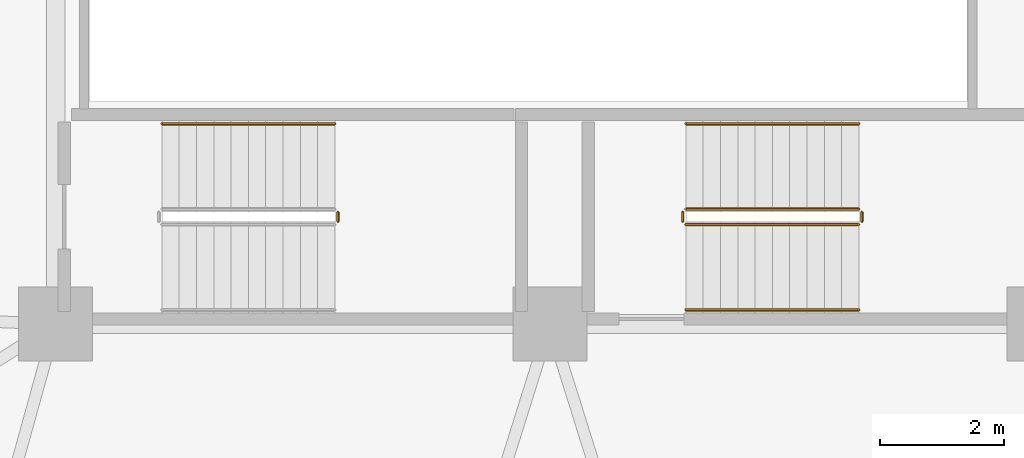
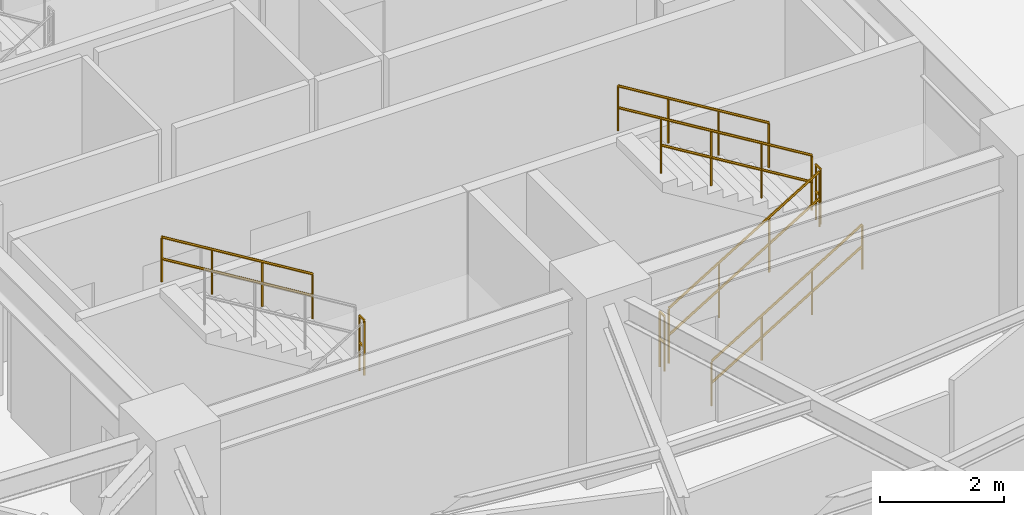
# One storey, part 28 of 30: 8 railings.
"""IFC4 building model written with IfcOpenShell, lengths in metres."""

from ifc_helpers import new_model, si_unit, direction, frame, origin, place, context, subcontext, project, spatial, polyline, outline, extrude, material, type_object, element, save


model = new_model("IFC4")

# Units and contexts
model_context = context("Model", 3, precision=1e-05, world=origin(), true_north=direction((0.0, 1.0)))
body_context = subcontext(model_context, "Body", "Model", "MODEL_VIEW")
ifc_project = project(units=[si_unit("LENGTHUNIT", "METRE"), si_unit("AREAUNIT", "SQUARE_METRE"), si_unit("VOLUMEUNIT", "CUBIC_METRE"), si_unit("PLANEANGLEUNIT", "RADIAN"), si_unit("MASSUNIT", "GRAM", prefix="KILO")], contexts=[model_context])

# Site, building, storey
site_placement = place(None, origin())
site = spatial("IfcSite", under=ifc_project, at=site_placement, CompositionType="ELEMENT")
building_placement = place(site_placement, origin())
building = spatial("IfcBuilding", under=site, at=building_placement, Name="Kelanora Arch Commons", CompositionType="ELEMENT")
storey_placement = place(building_placement, frame((0.0, 0.0, 211.949951171875)))
storey = spatial("IfcBuildingStorey", under=building, at=storey_placement, Name="L54", CompositionType="ELEMENT", Elevation=211.949951171875)

# Railings
ifc_material_1 = material(Name="Painted steel stair well guard", Category="steel")
railing_type_1 = type_object("IfcRailingType", Name="RAIL-STAIR-GRD", PredefinedType="GUARDRAIL", material=ifc_material_1)
railing_1_placement = place(storey_placement, frame((76.199951171875, 52.610107421875, 0.17041015625)))
element("IfcRailing", 1, at=railing_1_placement, inside=storey, type_object=railing_type_1, Name="L54 ST-T2 stair guard 1", PredefinedType="GUARDRAIL", context=body_context, shape_type="SweptSolid", body=[
    extrude(outline(polyline([(0.02392578125, 0.0), (0.011962890625, 0.020751953125), (-0.011962890625, 0.020751953125), (-0.02392578125, 0.0), (-0.011962890625, -0.020751953125), (0.011962890625, -0.020751953125), (0.02392578125, 0.0)])), frame((0.0, 0.0, 1.076171875), z_axis=(0.854169791009, 0.0, 0.51999420009), x_axis=(0.0, 1.0, 0.0)), (0.0, 0.0, 1.0), 3.278076171875),
    extrude(outline(polyline([(0.02392578125, 0.0), (0.011962890625, 0.020751953125), (-0.011962890625, 0.020751953125), (-0.02392578125, 0.0), (-0.011962890625, -0.020751953125), (0.011962890625, -0.020751953125), (0.02392578125, 0.0)])), frame((0.0, 0.0, 0.550048828125), z_axis=(0.854169791009, 0.0, 0.51999420009), x_axis=(0.0, 1.0, 0.0)), (0.0, 0.0, 1.0), 3.278076171875),
    extrude(outline(polyline([(0.02099609375, 0.0), (0.010498046875, 0.01806640625), (-0.010498046875, 0.01806640625), (-0.02099609375, 0.0), (-0.010498046875, -0.01806640625), (0.010498046875, -0.01806640625), (0.02099609375, 0.0)])), origin(), (0.0, 0.0, 1.0), 1.052001953125),
    extrude(outline(polyline([(0.02099609375, 0.0), (0.010498046875, 0.01806640625), (-0.010498046875, 0.01806640625), (-0.02099609375, 0.0), (-0.010498046875, -0.01806640625), (0.010498046875, -0.01806640625), (0.02099609375, 0.0)])), frame((0.933349609375, 0.0, 0.568115234375)), (0.0, 0.0, 1.0), 1.052001953125),
    extrude(outline(polyline([(0.02099609375, 0.0), (0.010498046875, 0.01806640625), (-0.010498046875, 0.01806640625), (-0.02099609375, 0.0), (-0.010498046875, -0.01806640625), (0.010498046875, -0.01806640625), (0.02099609375, 0.0)])), frame((1.86669921875, 0.0, 1.136474609375)), (0.0, 0.0, 1.0), 1.052001953125),
    extrude(outline(polyline([(0.02099609375, 0.0), (0.010498046875, 0.01806640625), (-0.010498046875, 0.01806640625), (-0.02099609375, 0.0), (-0.010498046875, -0.01806640625), (0.010498046875, -0.01806640625), (0.02099609375, 0.0)])), frame((2.800048828125, 0.0, 1.70458984375)), (0.0, 0.0, 1.0), 1.052001953125),
])
railing_2_placement = place(storey_placement, frame((79.050048828125, 52.659912109375, 1.875)))
element("IfcRailing", 2, at=railing_2_placement, inside=storey, type_object=railing_type_1, Name="L54 ST-T2 stair guard 2", PredefinedType="GUARDRAIL", context=body_context, shape_type="SweptSolid", body=[
    extrude(outline(polyline([(0.02392578125, 0.0), (0.011962890625, 0.020751953125), (-0.011962890625, 0.020751953125), (-0.02392578125, 0.0), (-0.011962890625, -0.020751953125), (0.011962890625, -0.020751953125), (0.02392578125, 0.0)])), frame((0.0, 0.0, 1.076171875), z_axis=(0.0, 1.0, 0.0), x_axis=(-1.0, 0.0, 0.0)), (0.0, 0.0, 1.0), 0.150146484375),
    extrude(outline(polyline([(0.02392578125, 0.0), (0.011962890625, 0.020751953125), (-0.011962890625, 0.020751953125), (-0.02392578125, 0.0), (-0.011962890625, -0.020751953125), (0.011962890625, -0.020751953125), (0.02392578125, 0.0)])), frame((0.0, 0.0, 0.550048828125), z_axis=(0.0, 1.0, 0.0), x_axis=(-1.0, 0.0, 0.0)), (0.0, 0.0, 1.0), 0.150146484375),
    extrude(outline(polyline([(0.02099609375, 0.0), (0.010498046875, 0.01806640625), (-0.010498046875, 0.01806640625), (-0.02099609375, 0.0), (-0.010498046875, -0.01806640625), (0.010498046875, -0.01806640625), (0.02099609375, 0.0)])), origin(), (0.0, 0.0, 1.0), 1.052001953125),
    extrude(outline(polyline([(0.02099609375, 0.0), (0.010498046875, 0.01806640625), (-0.010498046875, 0.01806640625), (-0.02099609375, 0.0), (-0.010498046875, -0.01806640625), (0.010498046875, -0.01806640625), (0.02099609375, 0.0)])), frame((0.0, 0.150146484375, 0.0)), (0.0, 0.0, 1.0), 1.052001953125),
])
railing_3_placement = place(storey_placement, frame((79.0, 52.860107421875, 2.04541015625)))
element("IfcRailing", 3, at=railing_3_placement, inside=storey, type_object=railing_type_1, Name="L54 ST-T2 stair guard 3", PredefinedType="GUARDRAIL", context=body_context, shape_type="SweptSolid", body=[
    extrude(outline(polyline([(0.02392578125, 0.0), (0.011962890625, 0.020751953125), (-0.011962890625, 0.020751953125), (-0.02392578125, 0.0), (-0.011962890625, -0.020751953125), (0.011962890625, -0.020751953125), (0.02392578125, 0.0)])), frame((0.0, 0.0, 1.076171875), z_axis=(-0.854169791009, 0.0, 0.51999420009), x_axis=(0.0, -1.0, 0.0)), (0.0, 0.0, 1.0), 3.278076171875),
    extrude(outline(polyline([(0.02392578125, 0.0), (0.011962890625, 0.020751953125), (-0.011962890625, 0.020751953125), (-0.02392578125, 0.0), (-0.011962890625, -0.020751953125), (0.011962890625, -0.020751953125), (0.02392578125, 0.0)])), frame((0.0, 0.0, 0.550048828125), z_axis=(-0.854169791009, 0.0, 0.51999420009), x_axis=(0.0, -1.0, 0.0)), (0.0, 0.0, 1.0), 3.278076171875),
    extrude(outline(polyline([(0.02099609375, 0.0), (0.010498046875, 0.01806640625), (-0.010498046875, 0.01806640625), (-0.02099609375, 0.0), (-0.010498046875, -0.01806640625), (0.010498046875, -0.01806640625), (0.02099609375, 0.0)])), origin(), (0.0, 0.0, 1.0), 1.052001953125),
    extrude(outline(polyline([(0.02099609375, 0.0), (0.010498046875, 0.01806640625), (-0.010498046875, 0.01806640625), (-0.02099609375, 0.0), (-0.010498046875, -0.01806640625), (0.010498046875, -0.01806640625), (0.02099609375, 0.0)])), frame((-0.933349609375, 0.0, 0.568115234375)), (0.0, 0.0, 1.0), 1.052001953125),
    extrude(outline(polyline([(0.02099609375, 0.0), (0.010498046875, 0.01806640625), (-0.010498046875, 0.01806640625), (-0.02099609375, 0.0), (-0.010498046875, -0.01806640625), (0.010498046875, -0.01806640625), (0.02099609375, 0.0)])), frame((-1.86669921875, 0.0, 1.136474609375)), (0.0, 0.0, 1.0), 1.052001953125),
    extrude(outline(polyline([(0.02099609375, 0.0), (0.010498046875, 0.01806640625), (-0.010498046875, 0.01806640625), (-0.02099609375, 0.0), (-0.010498046875, -0.01806640625), (0.010498046875, -0.01806640625), (0.02099609375, 0.0)])), frame((-2.800048828125, 0.0, 1.70458984375)), (0.0, 0.0, 1.0), 1.052001953125),
])
for number, where, name in (
    (4, (76.14990234375, 52.659912109375, 0.0), "L54 ST-T2 stair guard 4"),
    (5, (70.570068359375, 52.659912109375, 1.875), "L54 ST-T3 stair guard 2"),
):
    element("IfcRailing", number, at=place(storey_placement, frame(where)), inside=storey, type_object=railing_type_1, Name=name, PredefinedType="GUARDRAIL", context=body_context, shape_type="SweptSolid", body=[
        extrude(outline(polyline([(0.02392578125, 0.0), (0.011962890625, 0.020751953125), (-0.011962890625, 0.020751953125), (-0.02392578125, 0.0), (-0.011962890625, -0.020751953125), (0.011962890625, -0.020751953125), (0.02392578125, 0.0)])), frame((0.0, 0.0, 1.076171875), z_axis=(0.0, 1.0, 0.0), x_axis=(-1.0, 0.0, 0.0)), (0.0, 0.0, 1.0), 0.150146484375),
        extrude(outline(polyline([(0.02392578125, 0.0), (0.011962890625, 0.020751953125), (-0.011962890625, 0.020751953125), (-0.02392578125, 0.0), (-0.011962890625, -0.020751953125), (0.011962890625, -0.020751953125), (0.02392578125, 0.0)])), frame((0.0, 0.0, 0.550048828125), z_axis=(0.0, 1.0, 0.0), x_axis=(-1.0, 0.0, 0.0)), (0.0, 0.0, 1.0), 0.150146484375),
        extrude(outline(polyline([(0.02099609375, 0.0), (0.010498046875, 0.01806640625), (-0.010498046875, 0.01806640625), (-0.02099609375, 0.0), (-0.010498046875, -0.01806640625), (0.010498046875, -0.01806640625), (0.02099609375, 0.0)])), origin(), (0.0, 0.0, 1.0), 1.052001953125),
        extrude(outline(polyline([(0.02099609375, 0.0), (0.010498046875, 0.01806640625), (-0.010498046875, 0.01806640625), (-0.02099609375, 0.0), (-0.010498046875, -0.01806640625), (0.010498046875, -0.01806640625), (0.02099609375, 0.0)])), frame((0.0, 0.150146484375, 0.0)), (0.0, 0.0, 1.0), 1.052001953125),
    ])
ifc_material_2 = material(Name="Brushed stainless steel stair handrail", Category="steel")
railing_type_2 = type_object("IfcRailingType", Name="RAIL-STAIR-HND", PredefinedType="HANDRAIL", material=ifc_material_2)
railing_4_placement = place(storey_placement, frame((76.199951171875, 51.22998046875, 0.17041015625)))
element("IfcRailing", 6, at=railing_4_placement, inside=storey, type_object=railing_type_2, Name="L54 ST-T2 stair handrail 1", PredefinedType="HANDRAIL", context=body_context, shape_type="SweptSolid", body=[
    extrude(outline(polyline([(0.02392578125, 0.0), (0.011962890625, 0.020751953125), (-0.011962890625, 0.020751953125), (-0.02392578125, 0.0), (-0.011962890625, -0.020751953125), (0.011962890625, -0.020751953125), (0.02392578125, 0.0)])), frame((0.0, 0.0, 0.8759765625), z_axis=(0.854169791009, 0.0, 0.51999420009), x_axis=(0.0, 1.0, 0.0)), (0.0, 0.0, 1.0), 3.278076171875),
    extrude(outline(polyline([(0.02392578125, 0.0), (0.011962890625, 0.020751953125), (-0.011962890625, 0.020751953125), (-0.02392578125, 0.0), (-0.011962890625, -0.020751953125), (0.011962890625, -0.020751953125), (0.02392578125, 0.0)])), frame((0.0, 0.0, 0.449951171875), z_axis=(0.854169791009, 0.0, 0.51999420009), x_axis=(0.0, 1.0, 0.0)), (0.0, 0.0, 1.0), 3.278076171875),
    extrude(outline(polyline([(0.02099609375, 0.0), (0.010498046875, 0.01806640625), (-0.010498046875, 0.01806640625), (-0.02099609375, 0.0), (-0.010498046875, -0.01806640625), (0.010498046875, -0.01806640625), (0.02099609375, 0.0)])), origin(), (0.0, 0.0, 1.0), 0.851806640625),
    extrude(outline(polyline([(0.02099609375, 0.0), (0.010498046875, 0.01806640625), (-0.010498046875, 0.01806640625), (-0.02099609375, 0.0), (-0.010498046875, -0.01806640625), (0.010498046875, -0.01806640625), (0.02099609375, 0.0)])), frame((0.933349609375, 0.0, 0.568115234375)), (0.0, 0.0, 1.0), 0.851806640625),
    extrude(outline(polyline([(0.02099609375, 0.0), (0.010498046875, 0.01806640625), (-0.010498046875, 0.01806640625), (-0.02099609375, 0.0), (-0.010498046875, -0.01806640625), (0.010498046875, -0.01806640625), (0.02099609375, 0.0)])), frame((1.86669921875, 0.0, 1.136474609375)), (0.0, 0.0, 1.0), 0.851806640625),
    extrude(outline(polyline([(0.02099609375, 0.0), (0.010498046875, 0.01806640625), (-0.010498046875, 0.01806640625), (-0.02099609375, 0.0), (-0.010498046875, -0.01806640625), (0.010498046875, -0.01806640625), (0.02099609375, 0.0)])), frame((2.800048828125, 0.0, 1.70458984375)), (0.0, 0.0, 1.0), 0.851806640625),
])
railing_5_placement = place(storey_placement, frame((79.0, 54.239990234375, 2.04541015625)))
element("IfcRailing", 7, at=railing_5_placement, inside=storey, type_object=railing_type_2, Name="L54 ST-T2 stair handrail 2", PredefinedType="HANDRAIL", context=body_context, shape_type="SweptSolid", body=[
    extrude(outline(polyline([(0.02392578125, 0.0), (0.011962890625, 0.020751953125), (-0.011962890625, 0.020751953125), (-0.02392578125, 0.0), (-0.011962890625, -0.020751953125), (0.011962890625, -0.020751953125), (0.02392578125, 0.0)])), frame((0.0, 0.0, 0.8759765625), z_axis=(-0.854169791009, 0.0, 0.51999420009), x_axis=(0.0, -1.0, 0.0)), (0.0, 0.0, 1.0), 3.278076171875),
    extrude(outline(polyline([(0.02392578125, 0.0), (0.011962890625, 0.020751953125), (-0.011962890625, 0.020751953125), (-0.02392578125, 0.0), (-0.011962890625, -0.020751953125), (0.011962890625, -0.020751953125), (0.02392578125, 0.0)])), frame((0.0, 0.0, 0.449951171875), z_axis=(-0.854169791009, 0.0, 0.51999420009), x_axis=(0.0, -1.0, 0.0)), (0.0, 0.0, 1.0), 3.278076171875),
    extrude(outline(polyline([(0.02099609375, 0.0), (0.010498046875, 0.01806640625), (-0.010498046875, 0.01806640625), (-0.02099609375, 0.0), (-0.010498046875, -0.01806640625), (0.010498046875, -0.01806640625), (0.02099609375, 0.0)])), origin(), (0.0, 0.0, 1.0), 0.851806640625),
    extrude(outline(polyline([(0.02099609375, 0.0), (0.010498046875, 0.01806640625), (-0.010498046875, 0.01806640625), (-0.02099609375, 0.0), (-0.010498046875, -0.01806640625), (0.010498046875, -0.01806640625), (0.02099609375, 0.0)])), frame((-0.933349609375, 0.0, 0.568115234375)), (0.0, 0.0, 1.0), 0.851806640625),
    extrude(outline(polyline([(0.02099609375, 0.0), (0.010498046875, 0.01806640625), (-0.010498046875, 0.01806640625), (-0.02099609375, 0.0), (-0.010498046875, -0.01806640625), (0.010498046875, -0.01806640625), (0.02099609375, 0.0)])), frame((-1.86669921875, 0.0, 1.136474609375)), (0.0, 0.0, 1.0), 0.851806640625),
    extrude(outline(polyline([(0.02099609375, 0.0), (0.010498046875, 0.01806640625), (-0.010498046875, 0.01806640625), (-0.02099609375, 0.0), (-0.010498046875, -0.01806640625), (0.010498046875, -0.01806640625), (0.02099609375, 0.0)])), frame((-2.800048828125, 0.0, 1.70458984375)), (0.0, 0.0, 1.0), 0.851806640625),
])
railing_6_placement = place(storey_placement, frame((70.52001953125, 54.239990234375, 2.04541015625)))
element("IfcRailing", 8, at=railing_6_placement, inside=storey, type_object=railing_type_2, Name="L54 ST-T3 stair handrail 2", PredefinedType="HANDRAIL", context=body_context, shape_type="SweptSolid", body=[
    extrude(outline(polyline([(0.02392578125, 0.0), (0.011962890625, 0.020751953125), (-0.011962890625, 0.020751953125), (-0.02392578125, 0.0), (-0.011962890625, -0.020751953125), (0.011962890625, -0.020751953125), (0.02392578125, 0.0)])), frame((0.0, 0.0, 0.8759765625), z_axis=(-0.854169791009, 0.0, 0.51999420009), x_axis=(0.0, -1.0, 0.0)), (0.0, 0.0, 1.0), 3.278076171875),
    extrude(outline(polyline([(0.02392578125, 0.0), (0.011962890625, 0.020751953125), (-0.011962890625, 0.020751953125), (-0.02392578125, 0.0), (-0.011962890625, -0.020751953125), (0.011962890625, -0.020751953125), (0.02392578125, 0.0)])), frame((0.0, 0.0, 0.449951171875), z_axis=(-0.854169791009, 0.0, 0.51999420009), x_axis=(0.0, -1.0, 0.0)), (0.0, 0.0, 1.0), 3.278076171875),
    extrude(outline(polyline([(0.02099609375, 0.0), (0.010498046875, 0.01806640625), (-0.010498046875, 0.01806640625), (-0.02099609375, 0.0), (-0.010498046875, -0.01806640625), (0.010498046875, -0.01806640625), (0.02099609375, 0.0)])), origin(), (0.0, 0.0, 1.0), 0.851806640625),
    extrude(outline(polyline([(0.02099609375, 0.0), (0.010498046875, 0.01806640625), (-0.010498046875, 0.01806640625), (-0.02099609375, 0.0), (-0.010498046875, -0.01806640625), (0.010498046875, -0.01806640625), (0.02099609375, 0.0)])), frame((-0.933349609375, 0.0, 0.568115234375)), (0.0, 0.0, 1.0), 0.851806640625),
    extrude(outline(polyline([(0.02099609375, 0.0), (0.010498046875, 0.01806640625), (-0.010498046875, 0.01806640625), (-0.02099609375, 0.0), (-0.010498046875, -0.01806640625), (0.010498046875, -0.01806640625), (0.02099609375, 0.0)])), frame((-1.86669921875, 0.0, 1.136474609375)), (0.0, 0.0, 1.0), 0.851806640625),
    extrude(outline(polyline([(0.02099609375, 0.0), (0.010498046875, 0.01806640625), (-0.010498046875, 0.01806640625), (-0.02099609375, 0.0), (-0.010498046875, -0.01806640625), (0.010498046875, -0.01806640625), (0.02099609375, 0.0)])), frame((-2.800048828125, 0.0, 1.70458984375)), (0.0, 0.0, 1.0), 0.851806640625),
])

save(model, "model.ifc")
